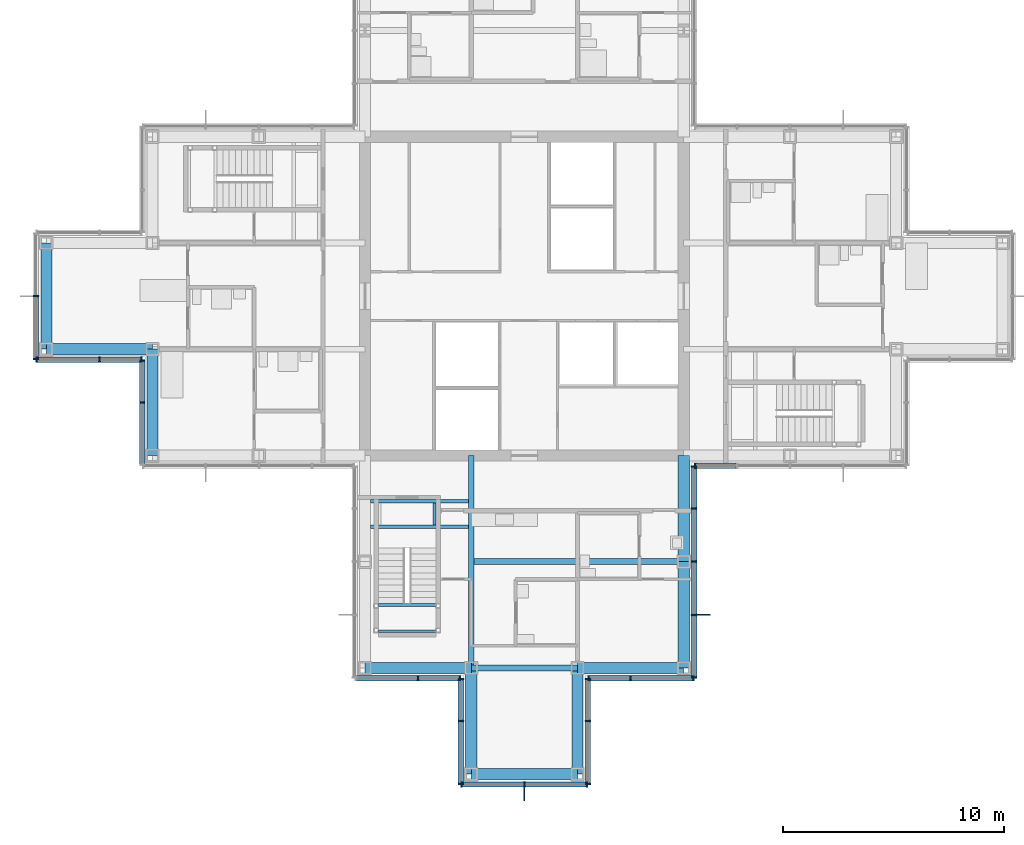
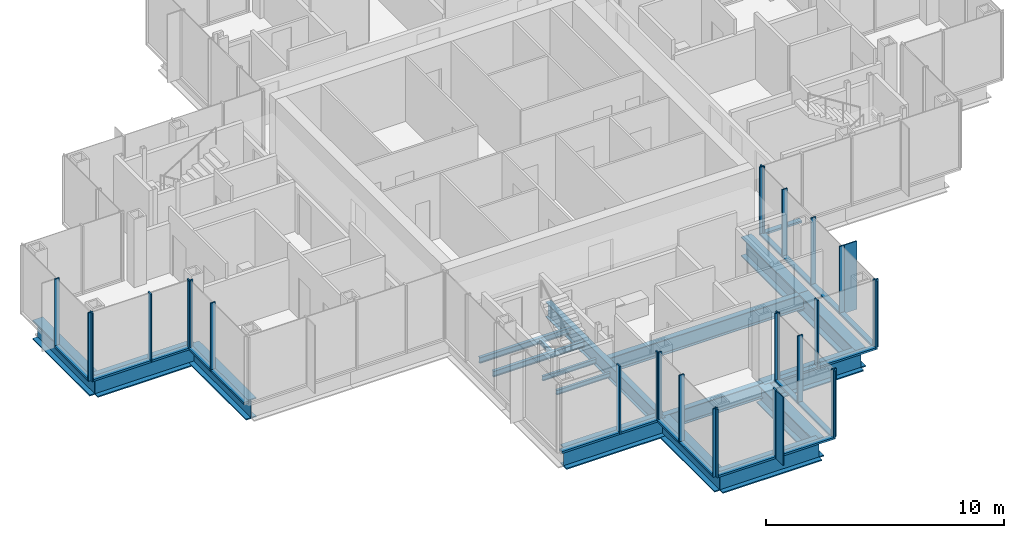
# One storey, part 6 of 17: 49 members, 18 beams, 10 elements without a shape of their own.
"""IFC4 building model written with IfcOpenShell, lengths in metres."""

from ifc_helpers import new_model, si_unit, direction, frame, origin, origin_2d, place, context, subcontext, project, spatial, rectangle, i_section, extrude, material, material_profile, profile_set, type_object, element, aggregate, save


model = new_model("IFC4")

# Units and contexts
model_context = context("Model", 3, precision=1e-05, world=origin(), true_north=direction((0.0, 1.0)))
body_context = subcontext(model_context, "Body", "Model", "MODEL_VIEW")
ifc_project = project(units=[si_unit("LENGTHUNIT", "METRE"), si_unit("AREAUNIT", "SQUARE_METRE"), si_unit("VOLUMEUNIT", "CUBIC_METRE"), si_unit("PLANEANGLEUNIT", "RADIAN"), si_unit("MASSUNIT", "GRAM", prefix="KILO")], contexts=[model_context])

# Site, building, storey
site_placement = place(None, origin())
site = spatial("IfcSite", under=ifc_project, at=site_placement, CompositionType="ELEMENT")
building_placement = place(site_placement, origin())
building = spatial("IfcBuilding", under=site, at=building_placement, Name="Kvirike Care Tower", CompositionType="ELEMENT")
storey_placement = place(building_placement, frame((0.0, 0.0, 144.5)))
storey = spatial("IfcBuildingStorey", under=building, at=storey_placement, Name="L39", CompositionType="ELEMENT", Elevation=144.5)

# Curtain wall, member
ifc_material_1 = material(Name="Anodised aluminium stick system", Category="aluminium")
curtain_wall_type = type_object("IfcCurtainWallType", Name="CW-C STICK CURTAIN WALL", PredefinedType="NOTDEFINED", material=ifc_material_1)
curtain_wall_1_placement = place(storey_placement, origin())
curtain_wall_1 = element("IfcCurtainWall", 1, at=curtain_wall_1_placement, inside=storey, type_object=curtain_wall_type, Name="Curtain wall L39 face 25", PredefinedType="NOTDEFINED")
ifc_material_2 = material(Name="Bronze anodised aluminium fin", Category="aluminium")
ifc_material_profile_1 = material_profile(ifc_material_2, rectangle(XDim=0.050048828125, YDim=0.60009765625, at=origin_2d()), Name="BRONZE FIN 600")
ifc_profile_set_1 = profile_set([ifc_material_profile_1], Name="Bronze anodised aluminium fin")
member_type_1 = type_object("IfcMemberType", Name="BRONZE FIN 600", PredefinedType="USERDEFINED", material=ifc_profile_set_1)
member_1_placement = place(storey_placement, frame((21.60009765625, 13.510009765625, 0.0), z_axis=(0.0, 0.0, 1.0), x_axis=(1.0, 0.0, 0.0)))
member_1 = element("IfcMember", 2, at=member_1_placement, type_object=member_type_1, Name="Bronze fin L39 face 25.2", ObjectType="FIN", PredefinedType="USERDEFINED", context=body_context, shape_type="SweptSolid", body=[
    extrude(rectangle(XDim=0.050048828125, YDim=0.60009765625, at=origin_2d()), origin(), (0.0, 0.0, 1.0), 3.5),
])

curtain_wall_2_placement = place(storey_placement, origin())
curtain_wall_2 = element("IfcCurtainWall", 3, at=curtain_wall_2_placement, inside=storey, type_object=curtain_wall_type, Name="Curtain wall L39 face 28", PredefinedType="NOTDEFINED")
member_2_placement = place(storey_placement, frame((29.68994140625, 21.60009765625, 0.0), z_axis=(0.0, 0.0, 1.0), x_axis=(0.0, 1.0, 0.0)))
member_2 = element("IfcMember", 4, at=member_2_placement, type_object=member_type_1, Name="Bronze fin L39 face 28.2", ObjectType="FIN", PredefinedType="USERDEFINED", context=body_context, shape_type="SweptSolid", body=[
    extrude(rectangle(XDim=0.050048828125, YDim=0.60009765625, at=origin_2d()), origin(), (0.0, 0.0, 1.0), 3.5),
])

curtain_wall_3_placement = place(storey_placement, origin())
curtain_wall_3 = element("IfcCurtainWall", 5, at=curtain_wall_3_placement, inside=storey, type_object=curtain_wall_type, Name="Curtain wall L39 face 1", PredefinedType="NOTDEFINED")
ifc_material_3 = material(Name="Bronze anodised aluminium mullion", Category="aluminium")
ifc_material_profile_2 = material_profile(ifc_material_3, rectangle(XDim=0.06494140625, YDim=0.239990234375, at=origin_2d()), Name="CW-C MULLION 65x240")
ifc_profile_set_2 = profile_set([ifc_material_profile_2], Name="Bronze anodised aluminium mullion")
member_type_2 = type_object("IfcMemberType", Name="CW-C MULLION 65x240", PredefinedType="MULLION", material=ifc_profile_set_2)
member_3_placement = place(storey_placement, frame((29.302490234375, 28.330078125, 0.0), z_axis=(0.0, 0.0, 1.0), x_axis=(1.0, 0.0, 0.0)))
member_3 = element("IfcMember", 6, at=member_3_placement, type_object=member_type_2, Name="CW-C mullion L39 face 1.1", PredefinedType="MULLION", context=body_context, shape_type="SweptSolid", body=[
    extrude(rectangle(XDim=0.06494140625, YDim=0.239990234375, at=origin_2d()), origin(), (0.0, 0.0, 1.0), 3.5),
])

# Curtain wall, members
curtain_wall_4_placement = place(storey_placement, origin())
curtain_wall_4 = element("IfcCurtainWall", 7, at=curtain_wall_4_placement, inside=storey, type_object=curtain_wall_type, Name="Curtain wall L39 face 18", PredefinedType="NOTDEFINED")
member_4_placement = place(storey_placement, frame((-0.469970703125, 36.0, 0.0), z_axis=(0.0, 0.0, 1.0), x_axis=(0.0, -1.0, 0.0)))
member_4 = element("IfcMember", 8, at=member_4_placement, type_object=member_type_2, Name="CW-C mullion L39 face 18.2", PredefinedType="MULLION", context=body_context, shape_type="SweptSolid", body=[
    extrude(rectangle(XDim=0.06494140625, YDim=0.239990234375, at=origin_2d()), origin(), (0.0, 0.0, 1.0), 3.5),
])
member_5_placement = place(storey_placement, frame((-0.469970703125, 33.16259765625, 0.0), z_axis=(0.0, 0.0, 1.0), x_axis=(0.0, -1.0, 0.0)))
member_5 = element("IfcMember", 9, at=member_5_placement, type_object=member_type_2, Name="CW-C mullion L39 face 18.3", PredefinedType="MULLION", context=body_context, shape_type="SweptSolid", body=[
    extrude(rectangle(XDim=0.06494140625, YDim=0.239990234375, at=origin_2d()), origin(), (0.0, 0.0, 1.0), 3.5),
])

curtain_wall_5_placement = place(storey_placement, origin())
curtain_wall_5 = element("IfcCurtainWall", 10, at=curtain_wall_5_placement, inside=storey, type_object=curtain_wall_type, Name="Curtain wall L39 face 19", PredefinedType="NOTDEFINED")
member_6_placement = place(storey_placement, frame((-0.4375, 33.1298828125, 0.0), z_axis=(0.0, 0.0, 1.0), x_axis=(1.0, 0.0, 0.0)))
member_6 = element("IfcMember", 11, at=member_6_placement, type_object=member_type_2, Name="CW-C mullion L39 face 19.1", PredefinedType="MULLION", context=body_context, shape_type="SweptSolid", body=[
    extrude(rectangle(XDim=0.06494140625, YDim=0.239990234375, at=origin_2d()), origin(), (0.0, 0.0, 1.0), 3.5),
])
member_7_placement = place(storey_placement, frame((2.39990234375, 33.1298828125, 0.0), z_axis=(0.0, 0.0, 1.0), x_axis=(1.0, 0.0, 0.0)))
member_7 = element("IfcMember", 12, at=member_7_placement, type_object=member_type_2, Name="CW-C mullion L39 face 19.2", PredefinedType="MULLION", context=body_context, shape_type="SweptSolid", body=[
    extrude(rectangle(XDim=0.06494140625, YDim=0.239990234375, at=origin_2d()), origin(), (0.0, 0.0, 1.0), 3.5),
])
member_8_placement = place(storey_placement, frame((4.297607421875, 33.1298828125, 0.0), z_axis=(0.0, 0.0, 1.0), x_axis=(1.0, 0.0, 0.0)))
member_8 = element("IfcMember", 13, at=member_8_placement, type_object=member_type_2, Name="CW-C mullion L39 face 19.3", PredefinedType="MULLION", context=body_context, shape_type="SweptSolid", body=[
    extrude(rectangle(XDim=0.06494140625, YDim=0.239990234375, at=origin_2d()), origin(), (0.0, 0.0, 1.0), 3.5),
])

curtain_wall_6_placement = place(storey_placement, origin())
curtain_wall_6 = element("IfcCurtainWall", 14, at=curtain_wall_6_placement, inside=storey, type_object=curtain_wall_type, Name="Curtain wall L39 face 20", PredefinedType="NOTDEFINED")
member_9_placement = place(storey_placement, frame((4.330078125, 33.097412109375, 0.0), z_axis=(0.0, 0.0, 1.0), x_axis=(0.0, -1.0, 0.0)))
member_9 = element("IfcMember", 15, at=member_9_placement, type_object=member_type_2, Name="CW-C mullion L39 face 20.1", PredefinedType="MULLION", context=body_context, shape_type="SweptSolid", body=[
    extrude(rectangle(XDim=0.06494140625, YDim=0.239990234375, at=origin_2d()), origin(), (0.0, 0.0, 1.0), 3.5),
])
member_10_placement = place(storey_placement, frame((4.330078125, 31.199951171875, 0.0), z_axis=(0.0, 0.0, 1.0), x_axis=(0.0, -1.0, 0.0)))
member_10 = element("IfcMember", 16, at=member_10_placement, type_object=member_type_2, Name="CW-C mullion L39 face 20.2", PredefinedType="MULLION", context=body_context, shape_type="SweptSolid", body=[
    extrude(rectangle(XDim=0.06494140625, YDim=0.239990234375, at=origin_2d()), origin(), (0.0, 0.0, 1.0), 3.5),
])

curtain_wall_7_placement = place(storey_placement, origin())
curtain_wall_7 = element("IfcCurtainWall", 17, at=curtain_wall_7_placement, inside=storey, type_object=curtain_wall_type, Name="Curtain wall L39 face 23", PredefinedType="NOTDEFINED")
member_11_placement = place(storey_placement, frame((16.800048828125, 18.72998046875, 0.0), z_axis=(0.0, 0.0, 1.0), x_axis=(1.0, 0.0, 0.0)))
member_11 = element("IfcMember", 18, at=member_11_placement, type_object=member_type_2, Name="CW-C mullion L39 face 23.2", PredefinedType="MULLION", context=body_context, shape_type="SweptSolid", body=[
    extrude(rectangle(XDim=0.06494140625, YDim=0.239990234375, at=origin_2d()), origin(), (0.0, 0.0, 1.0), 3.5),
])
member_12_placement = place(storey_placement, frame((18.697509765625, 18.72998046875, 0.0), z_axis=(0.0, 0.0, 1.0), x_axis=(1.0, 0.0, 0.0)))
member_12 = element("IfcMember", 19, at=member_12_placement, type_object=member_type_2, Name="CW-C mullion L39 face 23.3", PredefinedType="MULLION", context=body_context, shape_type="SweptSolid", body=[
    extrude(rectangle(XDim=0.06494140625, YDim=0.239990234375, at=origin_2d()), origin(), (0.0, 0.0, 1.0), 3.5),
])

curtain_wall_8_placement = place(storey_placement, origin())
curtain_wall_8 = element("IfcCurtainWall", 20, at=curtain_wall_8_placement, inside=storey, type_object=curtain_wall_type, Name="Curtain wall L39 face 24", PredefinedType="NOTDEFINED")
member_13_placement = place(storey_placement, frame((18.72998046875, 18.697509765625, 0.0), z_axis=(0.0, 0.0, 1.0), x_axis=(0.0, -1.0, 0.0)))
member_13 = element("IfcMember", 21, at=member_13_placement, type_object=member_type_2, Name="CW-C mullion L39 face 24.1", PredefinedType="MULLION", context=body_context, shape_type="SweptSolid", body=[
    extrude(rectangle(XDim=0.06494140625, YDim=0.239990234375, at=origin_2d()), origin(), (0.0, 0.0, 1.0), 3.5),
])
member_14_placement = place(storey_placement, frame((18.72998046875, 16.800048828125, 0.0), z_axis=(0.0, 0.0, 1.0), x_axis=(0.0, -1.0, 0.0)))
member_14 = element("IfcMember", 22, at=member_14_placement, type_object=member_type_2, Name="CW-C mullion L39 face 24.2", PredefinedType="MULLION", context=body_context, shape_type="SweptSolid", body=[
    extrude(rectangle(XDim=0.06494140625, YDim=0.239990234375, at=origin_2d()), origin(), (0.0, 0.0, 1.0), 3.5),
])
member_15_placement = place(storey_placement, frame((18.72998046875, 13.96240234375, 0.0), z_axis=(0.0, 0.0, 1.0), x_axis=(0.0, -1.0, 0.0)))
member_15 = element("IfcMember", 23, at=member_15_placement, type_object=member_type_2, Name="CW-C mullion L39 face 24.3", PredefinedType="MULLION", context=body_context, shape_type="SweptSolid", body=[
    extrude(rectangle(XDim=0.06494140625, YDim=0.239990234375, at=origin_2d()), origin(), (0.0, 0.0, 1.0), 3.5),
])

# Member
member_16_placement = place(storey_placement, frame((18.762451171875, 13.929931640625, 0.0), z_axis=(0.0, 0.0, 1.0), x_axis=(1.0, 0.0, 0.0)))
member_16 = element("IfcMember", 24, at=member_16_placement, type_object=member_type_2, Name="CW-C mullion L39 face 25.1", PredefinedType="MULLION", context=body_context, shape_type="SweptSolid", body=[
    extrude(rectangle(XDim=0.06494140625, YDim=0.239990234375, at=origin_2d()), origin(), (0.0, 0.0, 1.0), 3.5),
])

member_17_placement = place(storey_placement, frame((21.60009765625, 13.929931640625, 0.0), z_axis=(0.0, 0.0, 1.0), x_axis=(1.0, 0.0, 0.0)))
member_17 = element("IfcMember", 25, at=member_17_placement, type_object=member_type_2, Name="CW-C mullion L39 face 25.2", PredefinedType="MULLION", context=body_context, shape_type="SweptSolid", body=[
    extrude(rectangle(XDim=0.06494140625, YDim=0.239990234375, at=origin_2d()), origin(), (0.0, 0.0, 1.0), 3.5),
])

member_18_placement = place(storey_placement, frame((24.4375, 13.929931640625, 0.0), z_axis=(0.0, 0.0, 1.0), x_axis=(1.0, 0.0, 0.0)))
member_18 = element("IfcMember", 26, at=member_18_placement, type_object=member_type_2, Name="CW-C mullion L39 face 25.3", PredefinedType="MULLION", context=body_context, shape_type="SweptSolid", body=[
    extrude(rectangle(XDim=0.06494140625, YDim=0.239990234375, at=origin_2d()), origin(), (0.0, 0.0, 1.0), 3.5),
])

# Curtain wall, members
curtain_wall_9_placement = place(storey_placement, origin())
curtain_wall_9 = element("IfcCurtainWall", 27, at=curtain_wall_9_placement, inside=storey, type_object=curtain_wall_type, Name="Curtain wall L39 face 26", PredefinedType="NOTDEFINED")
member_19_placement = place(storey_placement, frame((24.469970703125, 13.96240234375, 0.0), z_axis=(0.0, 0.0, 1.0), x_axis=(0.0, 1.0, 0.0)))
member_19 = element("IfcMember", 28, at=member_19_placement, type_object=member_type_2, Name="CW-C mullion L39 face 26.1", PredefinedType="MULLION", context=body_context, shape_type="SweptSolid", body=[
    extrude(rectangle(XDim=0.06494140625, YDim=0.239990234375, at=origin_2d()), origin(), (0.0, 0.0, 1.0), 3.5),
])
member_20_placement = place(storey_placement, frame((24.469970703125, 16.800048828125, 0.0), z_axis=(0.0, 0.0, 1.0), x_axis=(0.0, 1.0, 0.0)))
member_20 = element("IfcMember", 29, at=member_20_placement, type_object=member_type_2, Name="CW-C mullion L39 face 26.2", PredefinedType="MULLION", context=body_context, shape_type="SweptSolid", body=[
    extrude(rectangle(XDim=0.06494140625, YDim=0.239990234375, at=origin_2d()), origin(), (0.0, 0.0, 1.0), 3.5),
])
member_21_placement = place(storey_placement, frame((24.469970703125, 18.697509765625, 0.0), z_axis=(0.0, 0.0, 1.0), x_axis=(0.0, 1.0, 0.0)))
member_21 = element("IfcMember", 30, at=member_21_placement, type_object=member_type_2, Name="CW-C mullion L39 face 26.3", PredefinedType="MULLION", context=body_context, shape_type="SweptSolid", body=[
    extrude(rectangle(XDim=0.06494140625, YDim=0.239990234375, at=origin_2d()), origin(), (0.0, 0.0, 1.0), 3.5),
])

curtain_wall_10_placement = place(storey_placement, origin())
curtain_wall_10 = element("IfcCurtainWall", 31, at=curtain_wall_10_placement, inside=storey, type_object=curtain_wall_type, Name="Curtain wall L39 face 27", PredefinedType="NOTDEFINED")
member_22_placement = place(storey_placement, frame((24.50244140625, 18.72998046875, 0.0), z_axis=(0.0, 0.0, 1.0), x_axis=(1.0, 0.0, 0.0)))
member_22 = element("IfcMember", 32, at=member_22_placement, type_object=member_type_2, Name="CW-C mullion L39 face 27.1", PredefinedType="MULLION", context=body_context, shape_type="SweptSolid", body=[
    extrude(rectangle(XDim=0.06494140625, YDim=0.239990234375, at=origin_2d()), origin(), (0.0, 0.0, 1.0), 3.5),
])
member_23_placement = place(storey_placement, frame((26.39990234375, 18.72998046875, 0.0), z_axis=(0.0, 0.0, 1.0), x_axis=(1.0, 0.0, 0.0)))
member_23 = element("IfcMember", 33, at=member_23_placement, type_object=member_type_2, Name="CW-C mullion L39 face 27.2", PredefinedType="MULLION", context=body_context, shape_type="SweptSolid", body=[
    extrude(rectangle(XDim=0.06494140625, YDim=0.239990234375, at=origin_2d()), origin(), (0.0, 0.0, 1.0), 3.5),
])
member_24_placement = place(storey_placement, frame((29.237548828125, 18.72998046875, 0.0), z_axis=(0.0, 0.0, 1.0), x_axis=(1.0, 0.0, 0.0)))
member_24 = element("IfcMember", 34, at=member_24_placement, type_object=member_type_2, Name="CW-C mullion L39 face 27.3", PredefinedType="MULLION", context=body_context, shape_type="SweptSolid", body=[
    extrude(rectangle(XDim=0.06494140625, YDim=0.239990234375, at=origin_2d()), origin(), (0.0, 0.0, 1.0), 3.5),
])

# Member
member_25_placement = place(storey_placement, frame((29.27001953125, 18.762451171875, 0.0), z_axis=(0.0, 0.0, 1.0), x_axis=(0.0, 1.0, 0.0)))
member_25 = element("IfcMember", 35, at=member_25_placement, type_object=member_type_2, Name="CW-C mullion L39 face 28.1", PredefinedType="MULLION", context=body_context, shape_type="SweptSolid", body=[
    extrude(rectangle(XDim=0.06494140625, YDim=0.239990234375, at=origin_2d()), origin(), (0.0, 0.0, 1.0), 3.5),
])

member_26_placement = place(storey_placement, frame((29.27001953125, 21.60009765625, 0.0), z_axis=(0.0, 0.0, 1.0), x_axis=(0.0, 1.0, 0.0)))
member_26 = element("IfcMember", 36, at=member_26_placement, type_object=member_type_2, Name="CW-C mullion L39 face 28.2", PredefinedType="MULLION", context=body_context, shape_type="SweptSolid", body=[
    extrude(rectangle(XDim=0.06494140625, YDim=0.239990234375, at=origin_2d()), origin(), (0.0, 0.0, 1.0), 3.5),
])

member_27_placement = place(storey_placement, frame((29.27001953125, 24.0, 0.0), z_axis=(0.0, 0.0, 1.0), x_axis=(0.0, 1.0, 0.0)))
member_27 = element("IfcMember", 37, at=member_27_placement, type_object=member_type_2, Name="CW-C mullion L39 face 28.3", PredefinedType="MULLION", context=body_context, shape_type="SweptSolid", body=[
    extrude(rectangle(XDim=0.06494140625, YDim=0.239990234375, at=origin_2d()), origin(), (0.0, 0.0, 1.0), 3.5),
])

member_28_placement = place(storey_placement, frame((29.27001953125, 26.39990234375, 0.0), z_axis=(0.0, 0.0, 1.0), x_axis=(0.0, 1.0, 0.0)))
member_28 = element("IfcMember", 38, at=member_28_placement, type_object=member_type_2, Name="CW-C mullion L39 face 28.4", PredefinedType="MULLION", context=body_context, shape_type="SweptSolid", body=[
    extrude(rectangle(XDim=0.06494140625, YDim=0.239990234375, at=origin_2d()), origin(), (0.0, 0.0, 1.0), 3.5),
])

member_29_placement = place(storey_placement, frame((29.27001953125, 28.297607421875, 0.0), z_axis=(0.0, 0.0, 1.0), x_axis=(0.0, 1.0, 0.0)))
member_29 = element("IfcMember", 39, at=member_29_placement, type_object=member_type_2, Name="CW-C mullion L39 face 28.5", PredefinedType="MULLION", context=body_context, shape_type="SweptSolid", body=[
    extrude(rectangle(XDim=0.06494140625, YDim=0.239990234375, at=origin_2d()), origin(), (0.0, 0.0, 1.0), 3.5),
])

ifc_material_4 = material(Name="Bronze anodised aluminium transom", Category="aluminium")
ifc_material_profile_3 = material_profile(ifc_material_4, rectangle(XDim=0.239990234375, YDim=0.10009765625, at=origin_2d()), Name="CW-C TRANSOM 240x100")
ifc_profile_set_3 = profile_set([ifc_material_profile_3], Name="Bronze anodised aluminium transom")
member_type_3 = type_object("IfcMemberType", Name="CW-C TRANSOM 240x100", PredefinedType="USERDEFINED", material=ifc_profile_set_3)
member_30_placement = place(storey_placement, frame((29.3349609375, 28.330078125, 0.050048828125), z_axis=(1.0, 0.0, 0.0), x_axis=(0.0, 1.0, 0.0)))
member_30 = element("IfcMember", 40, at=member_30_placement, type_object=member_type_3, Name="CW-C sill transom L39 face 1.1", ObjectType="TRANSOM", PredefinedType="USERDEFINED", context=body_context, shape_type="SweptSolid", body=[
    extrude(rectangle(XDim=0.239990234375, YDim=0.10009765625, at=origin_2d()), origin(), (0.0, 0.0, 1.0), 1.83251953125),
])

aggregate(curtain_wall_3, [member_3, member_30])

member_31_placement = place(storey_placement, frame((-0.469970703125, 35.967529296875, 0.050048828125), z_axis=(0.0, -1.0, 0.0), x_axis=(1.0, 0.0, 0.0)))
member_31 = element("IfcMember", 41, at=member_31_placement, type_object=member_type_3, Name="CW-C sill transom L39 face 18.2", ObjectType="TRANSOM", PredefinedType="USERDEFINED", context=body_context, shape_type="SweptSolid", body=[
    extrude(rectangle(XDim=0.239990234375, YDim=0.10009765625, at=origin_2d()), origin(), (0.0, 0.0, 1.0), 2.7724609375),
])

aggregate(curtain_wall_4, [member_4, member_5, member_31])

member_32_placement = place(storey_placement, frame((-0.405029296875, 33.1298828125, 0.050048828125), z_axis=(1.0, 0.0, 0.0), x_axis=(0.0, 1.0, 0.0)))
member_32 = element("IfcMember", 42, at=member_32_placement, type_object=member_type_3, Name="CW-C sill transom L39 face 19.1", ObjectType="TRANSOM", PredefinedType="USERDEFINED", context=body_context, shape_type="SweptSolid", body=[
    extrude(rectangle(XDim=0.239990234375, YDim=0.10009765625, at=origin_2d()), origin(), (0.0, 0.0, 1.0), 2.7724609375),
])

member_33_placement = place(storey_placement, frame((2.4326171875, 33.1298828125, 0.050048828125), z_axis=(1.0, 0.0, 0.0), x_axis=(0.0, 1.0, 0.0)))
member_33 = element("IfcMember", 43, at=member_33_placement, type_object=member_type_3, Name="CW-C sill transom L39 face 19.2", ObjectType="TRANSOM", PredefinedType="USERDEFINED", context=body_context, shape_type="SweptSolid", body=[
    extrude(rectangle(XDim=0.239990234375, YDim=0.10009765625, at=origin_2d()), origin(), (0.0, 0.0, 1.0), 1.832275390625),
])

aggregate(curtain_wall_5, [member_6, member_7, member_8, member_32, member_33])

member_34_placement = place(storey_placement, frame((4.330078125, 33.06494140625, 0.050048828125), z_axis=(0.0, -1.0, 0.0), x_axis=(1.0, 0.0, 0.0)))
member_34 = element("IfcMember", 44, at=member_34_placement, type_object=member_type_3, Name="CW-C sill transom L39 face 20.1", ObjectType="TRANSOM", PredefinedType="USERDEFINED", context=body_context, shape_type="SweptSolid", body=[
    extrude(rectangle(XDim=0.239990234375, YDim=0.10009765625, at=origin_2d()), origin(), (0.0, 0.0, 1.0), 1.83251953125),
])

member_35_placement = place(storey_placement, frame((4.330078125, 31.16748046875, 0.050048828125), z_axis=(0.0, -1.0, 0.0), x_axis=(1.0, 0.0, 0.0)))
member_35 = element("IfcMember", 45, at=member_35_placement, type_object=member_type_3, Name="CW-C sill transom L39 face 20.2", ObjectType="TRANSOM", PredefinedType="USERDEFINED", context=body_context, shape_type="SweptSolid", body=[
    extrude(rectangle(XDim=0.239990234375, YDim=0.10009765625, at=origin_2d()), origin(), (0.0, 0.0, 1.0), 2.7724609375),
])

aggregate(curtain_wall_6, [member_9, member_10, member_34, member_35])

member_36_placement = place(storey_placement, frame((13.9951171875, 18.72998046875, 0.050048828125), z_axis=(1.0, 0.0, 0.0), x_axis=(0.0, 1.0, 0.0)))
member_36 = element("IfcMember", 46, at=member_36_placement, type_object=member_type_3, Name="CW-C sill transom L39 face 23.1", ObjectType="TRANSOM", PredefinedType="USERDEFINED", context=body_context, shape_type="SweptSolid", body=[
    extrude(rectangle(XDim=0.239990234375, YDim=0.10009765625, at=origin_2d()), origin(), (0.0, 0.0, 1.0), 2.7724609375),
])

member_37_placement = place(storey_placement, frame((16.83251953125, 18.72998046875, 0.050048828125), z_axis=(1.0, 0.0, 0.0), x_axis=(0.0, 1.0, 0.0)))
member_37 = element("IfcMember", 47, at=member_37_placement, type_object=member_type_3, Name="CW-C sill transom L39 face 23.2", ObjectType="TRANSOM", PredefinedType="USERDEFINED", context=body_context, shape_type="SweptSolid", body=[
    extrude(rectangle(XDim=0.239990234375, YDim=0.10009765625, at=origin_2d()), origin(), (0.0, 0.0, 1.0), 1.83251953125),
])

aggregate(curtain_wall_7, [member_11, member_12, member_36, member_37])

member_38_placement = place(storey_placement, frame((18.72998046875, 18.6650390625, 0.050048828125), z_axis=(0.0, -1.0, 0.0), x_axis=(1.0, 0.0, 0.0)))
member_38 = element("IfcMember", 48, at=member_38_placement, type_object=member_type_3, Name="CW-C sill transom L39 face 24.1", ObjectType="TRANSOM", PredefinedType="USERDEFINED", context=body_context, shape_type="SweptSolid", body=[
    extrude(rectangle(XDim=0.239990234375, YDim=0.10009765625, at=origin_2d()), origin(), (0.0, 0.0, 1.0), 1.83251953125),
])

member_39_placement = place(storey_placement, frame((18.72998046875, 16.767578125, 0.050048828125), z_axis=(0.0, -1.0, 0.0), x_axis=(1.0, 0.0, 0.0)))
member_39 = element("IfcMember", 49, at=member_39_placement, type_object=member_type_3, Name="CW-C sill transom L39 face 24.2", ObjectType="TRANSOM", PredefinedType="USERDEFINED", context=body_context, shape_type="SweptSolid", body=[
    extrude(rectangle(XDim=0.239990234375, YDim=0.10009765625, at=origin_2d()), origin(), (0.0, 0.0, 1.0), 2.7724609375),
])

aggregate(curtain_wall_8, [member_13, member_14, member_15, member_38, member_39])

member_40_placement = place(storey_placement, frame((18.794921875, 13.929931640625, 0.050048828125), z_axis=(1.0, 0.0, 0.0), x_axis=(0.0, 1.0, 0.0)))
member_40 = element("IfcMember", 50, at=member_40_placement, type_object=member_type_3, Name="CW-C sill transom L39 face 25.1", ObjectType="TRANSOM", PredefinedType="USERDEFINED", context=body_context, shape_type="SweptSolid", body=[
    extrude(rectangle(XDim=0.239990234375, YDim=0.10009765625, at=origin_2d()), origin(), (0.0, 0.0, 1.0), 2.7724609375),
])

member_41_placement = place(storey_placement, frame((21.632568359375, 13.929931640625, 0.050048828125), z_axis=(1.0, 0.0, 0.0), x_axis=(0.0, 1.0, 0.0)))
member_41 = element("IfcMember", 51, at=member_41_placement, type_object=member_type_3, Name="CW-C sill transom L39 face 25.2", ObjectType="TRANSOM", PredefinedType="USERDEFINED", context=body_context, shape_type="SweptSolid", body=[
    extrude(rectangle(XDim=0.239990234375, YDim=0.10009765625, at=origin_2d()), origin(), (0.0, 0.0, 1.0), 2.7724609375),
])

aggregate(curtain_wall_1, [member_16, member_17, member_1, member_18, member_40, member_41])

member_42_placement = place(storey_placement, frame((24.469970703125, 13.9951171875, 0.050048828125), z_axis=(0.0, 1.0, 0.0), x_axis=(-1.0, 0.0, 0.0)))
member_42 = element("IfcMember", 52, at=member_42_placement, type_object=member_type_3, Name="CW-C sill transom L39 face 26.1", ObjectType="TRANSOM", PredefinedType="USERDEFINED", context=body_context, shape_type="SweptSolid", body=[
    extrude(rectangle(XDim=0.239990234375, YDim=0.10009765625, at=origin_2d()), origin(), (0.0, 0.0, 1.0), 2.7724609375),
])

member_43_placement = place(storey_placement, frame((24.469970703125, 16.83251953125, 0.050048828125), z_axis=(0.0, 1.0, 0.0), x_axis=(-1.0, 0.0, 0.0)))
member_43 = element("IfcMember", 53, at=member_43_placement, type_object=member_type_3, Name="CW-C sill transom L39 face 26.2", ObjectType="TRANSOM", PredefinedType="USERDEFINED", context=body_context, shape_type="SweptSolid", body=[
    extrude(rectangle(XDim=0.239990234375, YDim=0.10009765625, at=origin_2d()), origin(), (0.0, 0.0, 1.0), 1.83251953125),
])

aggregate(curtain_wall_9, [member_19, member_20, member_21, member_42, member_43])

member_44_placement = place(storey_placement, frame((24.534912109375, 18.72998046875, 0.050048828125), z_axis=(1.0, 0.0, 0.0), x_axis=(0.0, 1.0, 0.0)))
member_44 = element("IfcMember", 54, at=member_44_placement, type_object=member_type_3, Name="CW-C sill transom L39 face 27.1", ObjectType="TRANSOM", PredefinedType="USERDEFINED", context=body_context, shape_type="SweptSolid", body=[
    extrude(rectangle(XDim=0.239990234375, YDim=0.10009765625, at=origin_2d()), origin(), (0.0, 0.0, 1.0), 1.83251953125),
])

member_45_placement = place(storey_placement, frame((26.4326171875, 18.72998046875, 0.050048828125), z_axis=(1.0, 0.0, 0.0), x_axis=(0.0, 1.0, 0.0)))
member_45 = element("IfcMember", 55, at=member_45_placement, type_object=member_type_3, Name="CW-C sill transom L39 face 27.2", ObjectType="TRANSOM", PredefinedType="USERDEFINED", context=body_context, shape_type="SweptSolid", body=[
    extrude(rectangle(XDim=0.239990234375, YDim=0.10009765625, at=origin_2d()), origin(), (0.0, 0.0, 1.0), 2.7724609375),
])

aggregate(curtain_wall_10, [member_22, member_23, member_24, member_44, member_45])

member_46_placement = place(storey_placement, frame((29.27001953125, 18.794921875, 0.050048828125), z_axis=(0.0, 1.0, 0.0), x_axis=(-1.0, 0.0, 0.0)))
member_46 = element("IfcMember", 56, at=member_46_placement, type_object=member_type_3, Name="CW-C sill transom L39 face 28.1", ObjectType="TRANSOM", PredefinedType="USERDEFINED", context=body_context, shape_type="SweptSolid", body=[
    extrude(rectangle(XDim=0.239990234375, YDim=0.10009765625, at=origin_2d()), origin(), (0.0, 0.0, 1.0), 2.7724609375),
])

member_47_placement = place(storey_placement, frame((29.27001953125, 21.632568359375, 0.050048828125), z_axis=(0.0, 1.0, 0.0), x_axis=(-1.0, 0.0, 0.0)))
member_47 = element("IfcMember", 57, at=member_47_placement, type_object=member_type_3, Name="CW-C sill transom L39 face 28.2", ObjectType="TRANSOM", PredefinedType="USERDEFINED", context=body_context, shape_type="SweptSolid", body=[
    extrude(rectangle(XDim=0.239990234375, YDim=0.10009765625, at=origin_2d()), origin(), (0.0, 0.0, 1.0), 2.3349609375),
])

member_48_placement = place(storey_placement, frame((29.27001953125, 24.032470703125, 0.050048828125), z_axis=(0.0, 1.0, 0.0), x_axis=(-1.0, 0.0, 0.0)))
member_48 = element("IfcMember", 58, at=member_48_placement, type_object=member_type_3, Name="CW-C sill transom L39 face 28.3", ObjectType="TRANSOM", PredefinedType="USERDEFINED", context=body_context, shape_type="SweptSolid", body=[
    extrude(rectangle(XDim=0.239990234375, YDim=0.10009765625, at=origin_2d()), origin(), (0.0, 0.0, 1.0), 2.3349609375),
])

member_49_placement = place(storey_placement, frame((29.27001953125, 26.4326171875, 0.050048828125), z_axis=(0.0, 1.0, 0.0), x_axis=(-1.0, 0.0, 0.0)))
member_49 = element("IfcMember", 59, at=member_49_placement, type_object=member_type_3, Name="CW-C sill transom L39 face 28.4", ObjectType="TRANSOM", PredefinedType="USERDEFINED", context=body_context, shape_type="SweptSolid", body=[
    extrude(rectangle(XDim=0.239990234375, YDim=0.10009765625, at=origin_2d()), origin(), (0.0, 0.0, 1.0), 1.832275390625),
])

aggregate(curtain_wall_2, [member_25, member_26, member_2, member_27, member_28, member_29, member_46, member_47, member_48, member_49])

# Beams
ifc_material_5 = material(Name="Steel S355", Category="steel")
ifc_material_profile_4 = material_profile(ifc_material_5, i_section(OverallWidth=0.26806640625, OverallDepth=0.77001953125, WebThickness=0.015625, FlangeThickness=0.025390625, FilletRadius=0.01708984375, at=origin_2d()), Name="IPE 750x196")
ifc_profile_set_4 = profile_set([ifc_material_profile_4], Name="Steel S355")
beam_type_1 = type_object("IfcBeamType", Name="FLOOR BEAM IPE 750x196", PredefinedType="BEAM", material=ifc_profile_set_4)
beam_1_placement = place(storey_placement, frame((19.199951171875, 19.199951171875, -0.554931640625), z_axis=(1.0, 0.0, 0.0), x_axis=(0.0, 1.0, 0.0)))
element("IfcBeam", 60, at=beam_1_placement, inside=storey, type_object=beam_type_1, Name="Floor Beam E7-E8 L39", PredefinedType="BEAM", context=body_context, shape_type="SweptSolid", body=[
    extrude(i_section(OverallWidth=0.26806640625, OverallDepth=0.77001953125, WebThickness=0.015625, FlangeThickness=0.025390625, FilletRadius=0.01708984375, at=origin_2d()), origin(), (0.0, 0.0, 1.0), 4.800048828125),
])
for number, where, z_axis, x_axis, name in (
    (61, (19.199951171875, 24.0, -0.554931640625), (1.0, 0.0, 0.0), (0.0, 1.0, 0.0), "Floor Beam F7-F9 L39"),
    (62, (19.199951171875, 19.199951171875, -0.554931640625), (0.0, 1.0, 0.0), (-1.0, 0.0, 0.0), "Floor Beam E7-G7 L39"),
):
    element("IfcBeam", number, at=place(storey_placement, frame(where, z_axis=z_axis, x_axis=x_axis)), inside=storey, type_object=beam_type_1, Name=name, PredefinedType="BEAM", context=body_context, shape_type="SweptSolid", body=[
        extrude(i_section(OverallWidth=0.26806640625, OverallDepth=0.77001953125, WebThickness=0.015625, FlangeThickness=0.025390625, FilletRadius=0.01708984375, at=origin_2d()), origin(), (0.0, 0.0, 1.0), 9.60009765625),
    ])
ifc_material_6 = material(Name="Steel S355", Category="steel")
ifc_material_profile_5 = material_profile(ifc_material_6, i_section(OverallWidth=0.5, OverallDepth=1.0, WebThickness=0.030029296875, FlangeThickness=0.06005859375, at=origin_2d()), Name="PG 1000x500x30x60")
ifc_profile_set_5 = profile_set([ifc_material_profile_5], Name="Steel S355")
beam_type_2 = type_object("IfcBeamType", Name="SPANDREL PG 1000x500x30x60", PredefinedType="SPANDREL", material=ifc_profile_set_5)
for number, where, z_axis, x_axis, name in (
    (63, (19.199951171875, 14.39990234375, -0.669921875), (1.0, 0.0, 0.0), (0.0, 1.0, 0.0), "Spandrel D7-D8 L39"),
    (64, (14.39990234375, 19.199951171875, -0.669921875), (1.0, 0.0, 0.0), (0.0, 1.0, 0.0), "Spandrel E6-E7 L39"),
    (65, (24.0, 19.199951171875, -0.669921875), (1.0, 0.0, 0.0), (0.0, 1.0, 0.0), "Spandrel E8-E9 L39"),
    (66, (0.0, 33.60009765625, -0.669921875), (1.0, 0.0, 0.0), (0.0, 1.0, 0.0), "Spandrel H3-H4 L39"),
):
    element("IfcBeam", number, at=place(storey_placement, frame(where, z_axis=z_axis, x_axis=x_axis)), inside=storey, type_object=beam_type_2, Name=name, PredefinedType="SPANDREL", context=body_context, shape_type="SweptSolid", body=[
        extrude(i_section(OverallWidth=0.5, OverallDepth=1.0, WebThickness=0.030029296875, FlangeThickness=0.06005859375, at=origin_2d()), origin(), (0.0, 0.0, 1.0), 4.800048828125),
    ])
beam_2_placement = place(storey_placement, frame((0.0, 33.60009765625, -0.669921875), z_axis=(0.0, 1.0, 0.0), x_axis=(-1.0, 0.0, 0.0)))
element("IfcBeam", 67, at=beam_2_placement, inside=storey, type_object=beam_type_2, Name="Spandrel H3-J3 L39", PredefinedType="SPANDREL", context=body_context, shape_type="SweptSolid", body=[
    extrude(i_section(OverallWidth=0.5, OverallDepth=1.0, WebThickness=0.030029296875, FlangeThickness=0.06005859375, at=origin_2d()), origin(), (0.0, 0.0, 1.0), 4.7998046875),
])
for number, where, z_axis, x_axis, name in (
    (68, (4.800048828125, 28.800048828125, -0.669921875), (0.0, 1.0, 0.0), (-1.0, 0.0, 0.0), "Spandrel G4-H4 L39"),
    (69, (19.199951171875, 14.39990234375, -0.669921875), (0.0, 1.0, 0.0), (-1.0, 0.0, 0.0), "Spandrel D7-E7 L39"),
    (70, (24.0, 14.39990234375, -0.669921875), (0.0, 1.0, 0.0), (-1.0, 0.0, 0.0), "Spandrel D8-E8 L39"),
    (71, (28.800048828125, 19.199951171875, -0.669921875), (0.0, 1.0, 0.0), (-1.0, 0.0, 0.0), "Spandrel E9-F9 L39"),
    (72, (28.800048828125, 24.0, -0.669921875), (0.0, 1.0, 0.0), (-1.0, 0.0, 0.0), "Spandrel F9-G9 L39"),
):
    element("IfcBeam", number, at=place(storey_placement, frame(where, z_axis=z_axis, x_axis=x_axis)), inside=storey, type_object=beam_type_2, Name=name, PredefinedType="SPANDREL", context=body_context, shape_type="SweptSolid", body=[
        extrude(i_section(OverallWidth=0.5, OverallDepth=1.0, WebThickness=0.030029296875, FlangeThickness=0.06005859375, at=origin_2d()), origin(), (0.0, 0.0, 1.0), 4.800048828125),
    ])
ifc_material_7 = material(Name="Steel S355", Category="steel")
ifc_material_profile_6 = material_profile(ifc_material_7, i_section(OverallWidth=0.1201171875, OverallDepth=0.239990234375, WebThickness=0.006103515625, FlangeThickness=0.009765625, FilletRadius=0.014892578125, at=origin_2d()), Name="IPE 240")
ifc_profile_set_6 = profile_set([ifc_material_profile_6], Name="Steel S355")
beam_type_3 = type_object("IfcBeamType", Name="STAIR LANDING BEAM IPE 240", PredefinedType="BEAM", material=ifc_profile_set_6)
for number, where, z_axis, x_axis, name in (
    (73, (15.0, 20.860107421875, 1.429931640625), (1.0, 0.0, 0.0), (0.0, 1.0, 0.0), "Stair 5 landing beam back L39"),
    (74, (15.0, 22.0400390625, 1.429931640625), (1.0, 0.0, 0.0), (0.0, 1.0, 0.0), "Stair 5 landing beam front L39"),
):
    element("IfcBeam", number, at=place(storey_placement, frame(where, z_axis=z_axis, x_axis=x_axis)), inside=storey, type_object=beam_type_3, Name=name, PredefinedType="BEAM", context=body_context, shape_type="SweptSolid", body=[
        extrude(i_section(OverallWidth=0.1201171875, OverallDepth=0.239990234375, WebThickness=0.006103515625, FlangeThickness=0.009765625, FilletRadius=0.014892578125, at=origin_2d()), origin(), (0.0, 0.0, 1.0), 2.60009765625),
    ])
beam_3_placement = place(storey_placement, frame((17.5400390625, 25.64990234375, -0.320068359375), z_axis=(0.0, 1.0, 0.0), x_axis=(-1.0, 0.0, 0.0)))
element("IfcBeam", 75, at=beam_3_placement, inside=storey, type_object=beam_type_3, Name="Stair 5 landing edge beam 2 L39", PredefinedType="BEAM", context=body_context, shape_type="SweptSolid", body=[
    extrude(i_section(OverallWidth=0.1201171875, OverallDepth=0.239990234375, WebThickness=0.006103515625, FlangeThickness=0.009765625, FilletRadius=0.014892578125, at=origin_2d()), origin(), (0.0, 0.0, 1.0), 1.0),
])
ifc_material_8 = material(Name="Steel S355", Category="steel")
ifc_material_profile_7 = material_profile(ifc_material_8, i_section(OverallWidth=0.14990234375, OverallDepth=0.300048828125, WebThickness=0.007080078125, FlangeThickness=0.0107421875, FilletRadius=0.014892578125, at=origin_2d()), Name="IPE 300")
ifc_profile_set_7 = profile_set([ifc_material_profile_7], Name="Steel S355")
beam_type_4 = type_object("IfcBeamType", Name="STAIR TRIMMER IPE 300", PredefinedType="BEAM", material=ifc_profile_set_7)
for number, where, z_axis, x_axis, name in (
    (76, (14.64990234375, 25.574951171875, -0.35009765625), (1.0, 0.0, 0.0), (0.0, 1.0, 0.0), "Stair 5 trimmer 1 L39"),
    (77, (14.64990234375, 26.72509765625, -0.35009765625), (1.0, 0.0, 0.0), (0.0, 1.0, 0.0), "Stair 5 trimmer 2 L39"),
):
    element("IfcBeam", number, at=place(storey_placement, frame(where, z_axis=z_axis, x_axis=x_axis)), inside=storey, type_object=beam_type_4, Name=name, PredefinedType="BEAM", context=body_context, shape_type="SweptSolid", body=[
        extrude(i_section(OverallWidth=0.14990234375, OverallDepth=0.300048828125, WebThickness=0.007080078125, FlangeThickness=0.0107421875, FilletRadius=0.014892578125, at=origin_2d()), origin(), (0.0, 0.0, 1.0), 4.416015625),
    ])

save(model, "model.ifc")
